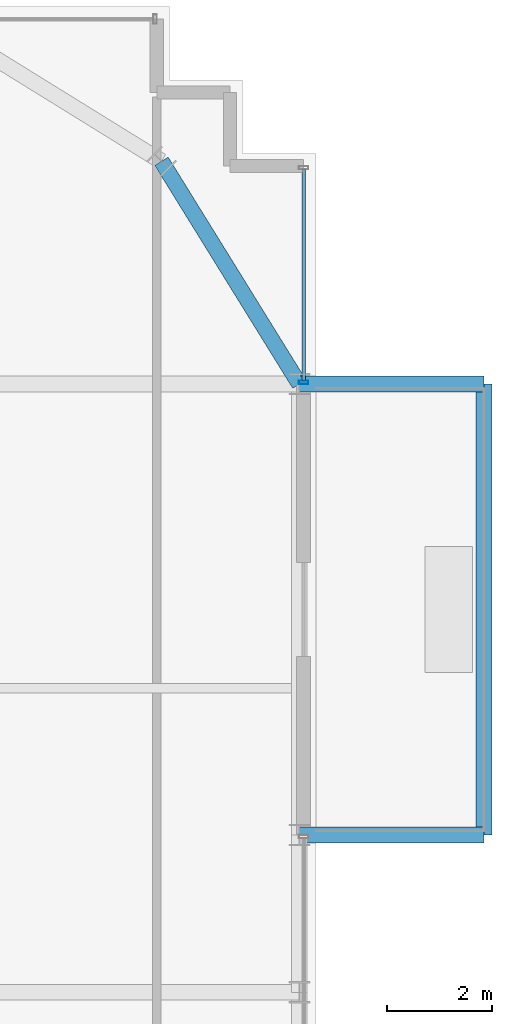
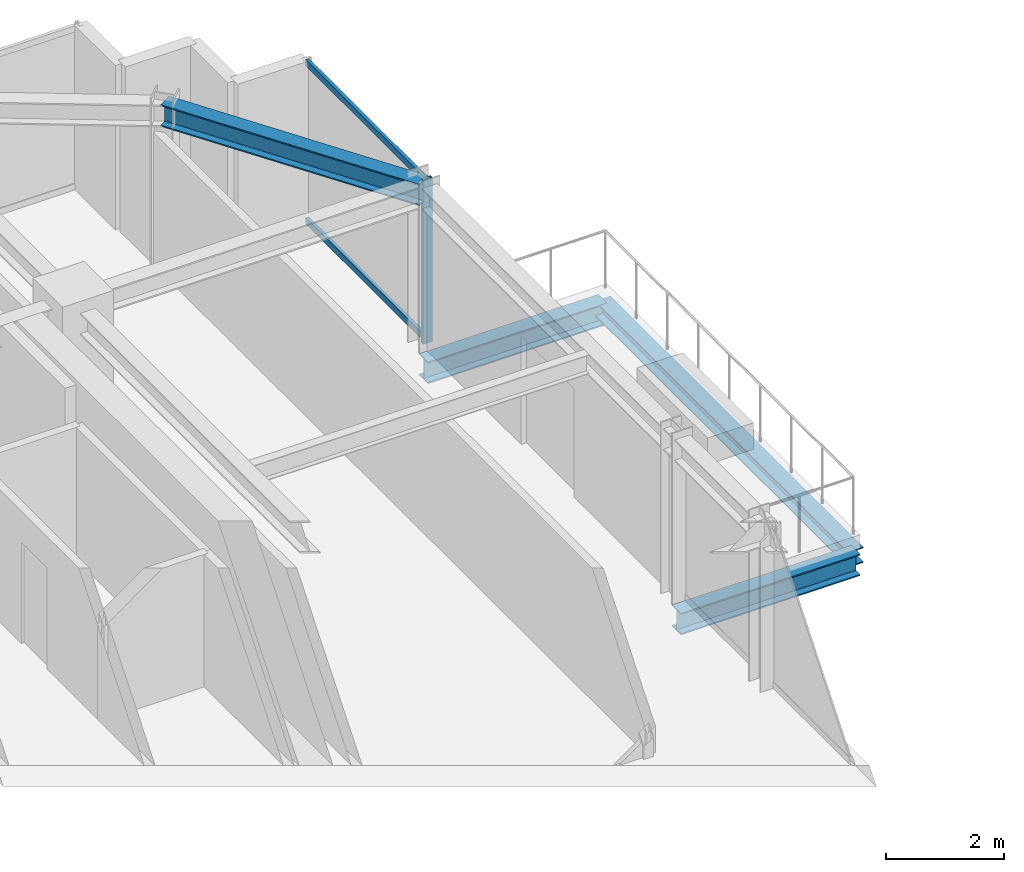
# One storey, part 26 of 36: 4 beams, 3 members, 1 element without a shape of its own.
"""IFC4 building model written with IfcOpenShell, lengths in metres."""

from ifc_helpers import new_model, si_unit, direction, frame, origin, origin_2d, place, context, subcontext, project, spatial, hollow_rectangle, i_section, extrude, source, transform, mapped, material, material_profile, profile_set, type_object, element, aggregate, save


model = new_model("IFC4")

# Units and contexts
model_context = context("Model", 3, precision=1e-05, world=origin(), true_north=direction((0.0, 1.0)))
body_context = subcontext(model_context, "Body", "Model", "MODEL_VIEW")
ifc_project = project(units=[si_unit("LENGTHUNIT", "METRE"), si_unit("AREAUNIT", "SQUARE_METRE"), si_unit("VOLUMEUNIT", "CUBIC_METRE"), si_unit("PLANEANGLEUNIT", "RADIAN"), si_unit("MASSUNIT", "GRAM", prefix="KILO")], contexts=[model_context])

# Site, building, storey
site_placement = place(None, origin())
site = spatial("IfcSite", under=ifc_project, at=site_placement, CompositionType="ELEMENT")
building_placement = place(site_placement, origin())
building = spatial("IfcBuilding", under=site, at=building_placement, Name="Nahalor Promenade Grand Hotel", CompositionType="ELEMENT")
storey_placement = place(building_placement, frame((0.0, 0.0, 253.0)))
storey = spatial("IfcBuildingStorey", under=building, at=storey_placement, Name="L65", CompositionType="ELEMENT", Elevation=253.0)

# Beams
ifc_material_1 = material(Name="Steel S355JR", Category="steel")
ifc_material_profile_1 = material_profile(ifc_material_1, i_section(OverallWidth=0.3, OverallDepth=0.32, WebThickness=0.0115, FlangeThickness=0.0205, at=origin_2d()), Name="HEB 320")
ifc_profile_set_1 = profile_set([ifc_material_profile_1], Name="Steel S355JR")
beam_type_1 = type_object("IfcBeamType", Name="Beam-BalcEdge-HEB320", PredefinedType="SPANDREL", material=ifc_profile_set_1)
shared_shape_1 = source(origin(), body_context, "Body", "SweptSolid", [
    extrude(i_section(OverallWidth=0.3, OverallDepth=0.32, WebThickness=0.0115, FlangeThickness=0.0205, at=origin_2d()), origin(), (0.0, 0.0, 1.0), 8.60009765625),
])
beam_1_placement = place(storey_placement, frame((27.39990234375, 8.39990234375, -0.43994140625), z_axis=(0.0, 1.0, 0.0), x_axis=(-1.0, 0.0, 0.0)))
element("IfcBeam", 1, at=beam_1_placement, inside=storey, type_object=beam_type_1, Name="BM-L65-BC-02-F", PredefinedType="SPANDREL", context=body_context, shape_type="MappedRepresentation", body=[
    mapped(shared_shape_1, transform((0.0, 0.0, 0.0), scale=1.0)),
])
ifc_material_profile_2 = material_profile(ifc_material_1, i_section(OverallWidth=0.3, OverallDepth=0.45, WebThickness=0.014, FlangeThickness=0.026, at=origin_2d()), Name="HEB 450")
ifc_profile_set_2 = profile_set([ifc_material_profile_2], Name="Steel S355JR")
beam_type_2 = type_object("IfcBeamType", Name="Beam-Outrigger-HEB450", PredefinedType="BEAM", material=ifc_profile_set_2)
shared_shape_2 = source(origin(), body_context, "Body", "SweptSolid", [
    extrude(i_section(OverallWidth=0.3, OverallDepth=0.45, WebThickness=0.014, FlangeThickness=0.026, at=origin_2d()), origin(), (0.0, 0.0, 1.0), 3.52001953125),
])
for number, where, z_axis, x_axis, name in (
    (2, (23.8798828125, 8.39990234375, -0.5048828125), (1.0, 0.0, 0.0), (0.0, 1.0, 0.0), "BM-L65-BC-02-1"),
    (3, (23.8798828125, 17.0, -0.5048828125), (1.0, 0.0, 0.0), (0.0, 1.0, 0.0), "BM-L65-BC-02-2"),
):
    element("IfcBeam", number, at=place(storey_placement, frame(where, z_axis=z_axis, x_axis=x_axis)), inside=storey, type_object=beam_type_2, Name=name, PredefinedType="BEAM", context=body_context, shape_type="MappedRepresentation", body=[
        mapped(shared_shape_2, transform((0.0, 0.0, 0.0), scale=1.0)),
    ])
ifc_material_profile_3 = material_profile(ifc_material_1, i_section(OverallWidth=0.3, OverallDepth=0.45, WebThickness=0.014, FlangeThickness=0.026, at=origin_2d()), Name="HEB 450")
ifc_profile_set_3 = profile_set([ifc_material_profile_3], Name="Steel S355JR")
beam_type_3 = type_object("IfcBeamType", Name="Beam-Spandrel-HEB450", PredefinedType="SPANDREL", material=ifc_profile_set_3)
shared_shape_3 = source(origin(), body_context, "Body", "SweptSolid", [
    extrude(i_section(OverallWidth=0.3, OverallDepth=0.45, WebThickness=0.014, FlangeThickness=0.026, at=origin_2d()), origin(), (0.0, 0.0, 1.0), 4.997802734375),
])
beam_2_placement = place(storey_placement, frame((21.25, 21.25, 3.18505859375), z_axis=(0.526199891161, -0.850360908404, 0.0), x_axis=(0.850360908404, 0.526199891161, 0.0)))
element("IfcBeam", 4, at=beam_2_placement, inside=storey, type_object=beam_type_3, Name="BM-L65-SPC-NE-2", PredefinedType="SPANDREL", context=body_context, shape_type="MappedRepresentation", body=[
    mapped(shared_shape_3, transform((0.0, 0.0, 0.0), scale=1.0)),
])

# Curtain wall, members
ifc_material_2 = material(Name="Anodised Bronze Aluminium EN AW-6063 T6", Category="aluminium")
curtain_wall_type = type_object("IfcCurtainWallType", Name="CW2 Typical Hotel Flush Bronze Unitised Curtain Wall", PredefinedType="USERDEFINED", material=ifc_material_2)
curtain_wall_placement = place(storey_placement, origin())
curtain_wall = element("IfcCurtainWall", 5, at=curtain_wall_placement, inside=storey, type_object=curtain_wall_type, Name="L65 Curtain Wall CW-L65-E-3", ObjectType="UNITISED_CURTAIN_WALL", PredefinedType="USERDEFINED")
ifc_material_profile_4 = material_profile(ifc_material_2, hollow_rectangle(XDim=0.065, YDim=0.13, WallThickness=0.004, at=origin_2d()), Name="CWT 65x130x4")
ifc_profile_set_4 = profile_set([ifc_material_profile_4], Name="Anodised Bronze Aluminium EN AW-6063 T6")
member_type_1 = type_object("IfcMemberType", Name="CWT2 Typical Bronze Transom 65x130", PredefinedType="USERDEFINED", material=ifc_profile_set_4)
shared_shape_4 = source(origin(), body_context, "Body", "SweptSolid", [
    extrude(hollow_rectangle(XDim=0.065, YDim=0.13, WallThickness=0.004, at=origin_2d()), origin(), (0.0, 0.0, 1.0), 4.030029296875),
])
member_1_placement = place(storey_placement, frame((23.9599609375, 17.06494140625, 0.06494140625), z_axis=(0.0, 1.0, 0.0), x_axis=(-1.0, 0.0, 0.0)))
member_1 = element("IfcMember", 6, at=member_1_placement, type_object=member_type_1, Name="CW-L65-E-3 Transom 0-0", ObjectType="TRANSOM", PredefinedType="USERDEFINED", context=body_context, shape_type="MappedRepresentation", body=[
    mapped(shared_shape_4, transform((0.0, 0.0, 0.0), scale=1.0)),
])
member_2_placement = place(storey_placement, frame((23.9599609375, 17.06494140625, 3.344970703125), z_axis=(0.0, 1.0, 0.0), x_axis=(-1.0, 0.0, 0.0)))
member_2 = element("IfcMember", 7, at=member_2_placement, type_object=member_type_1, Name="CW-L65-E-3 Transom 0-1", ObjectType="TRANSOM", PredefinedType="USERDEFINED", context=body_context, shape_type="MappedRepresentation", body=[
    mapped(shared_shape_4, transform((0.0, 0.0, 0.0), scale=1.0)),
])
ifc_material_profile_5 = material_profile(ifc_material_2, hollow_rectangle(XDim=0.065, YDim=0.18, WallThickness=0.004, at=origin_2d()), Name="CWM 65x180x4")
ifc_profile_set_5 = profile_set([ifc_material_profile_5], Name="Anodised Bronze Aluminium EN AW-6063 T6")
member_type_2 = type_object("IfcMemberType", Name="CWM2 Typical Bronze Mullion 65x180", PredefinedType="MULLION", material=ifc_profile_set_5)
shared_shape_5 = source(origin(), body_context, "Body", "SweptSolid", [
    extrude(hollow_rectangle(XDim=0.065, YDim=0.18, WallThickness=0.004, at=origin_2d()), origin(), (0.0, 0.0, 1.0), 3.409912109375),
])
member_3_placement = place(storey_placement, frame((23.9599609375, 17.032470703125, 0.0), z_axis=(0.0, 0.0, 1.0), x_axis=(0.0, 1.0, 0.0)))
member_3 = element("IfcMember", 8, at=member_3_placement, type_object=member_type_2, Name="CW-L65-E-3 Mullion 0", PredefinedType="MULLION", context=body_context, shape_type="MappedRepresentation", body=[
    mapped(shared_shape_5, transform((0.0, 0.0, 0.0), scale=1.0)),
])
aggregate(curtain_wall, [member_3, member_1, member_2])

save(model, "model.ifc")
